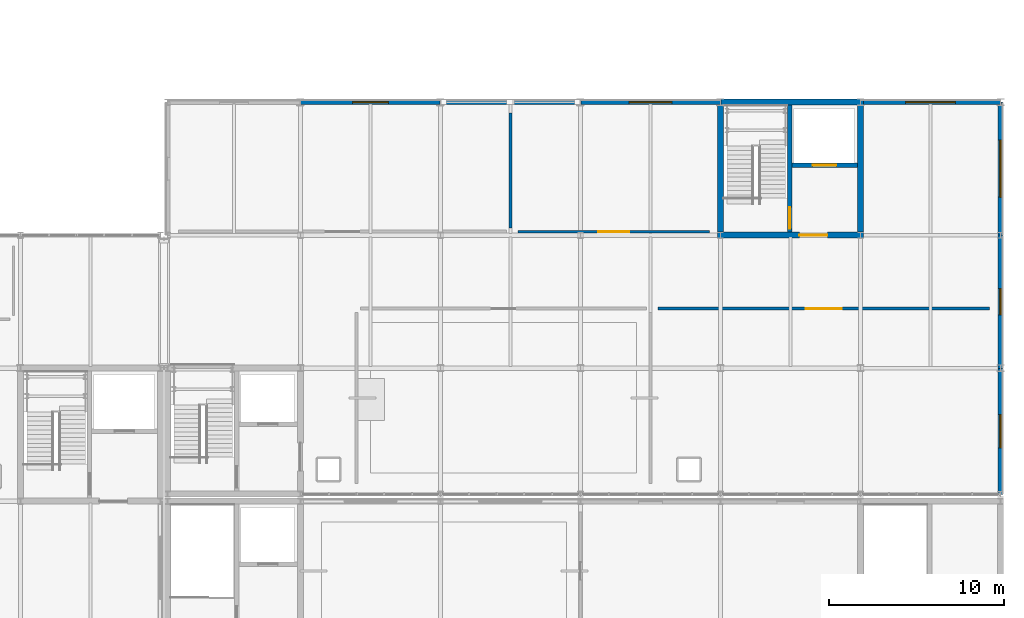
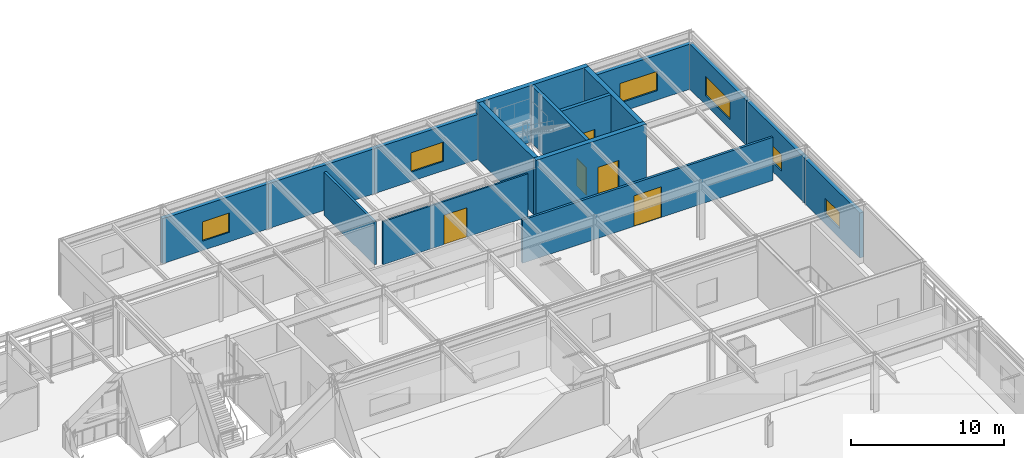
# One storey, part 89 of 104: 16 walls, 6 windows, 5 doors, 11 openings.
"""IFC4 building model written with IfcOpenShell, lengths in metres."""

from ifc_helpers import new_model, si_unit, direction, frame, frame_2d, origin, place, context, subcontext, project, spatial, rectangle, extrude, material, layer, layer_set, type_object, element, fill, save


model = new_model("IFC4")

# Units and contexts
model_context = context("Model", 3, precision=1e-05, world=origin(), true_north=direction((0.0, 1.0)))
body_context = subcontext(model_context, "Body", "Model", "MODEL_VIEW")
ifc_project = project(units=[si_unit("LENGTHUNIT", "METRE"), si_unit("AREAUNIT", "SQUARE_METRE"), si_unit("VOLUMEUNIT", "CUBIC_METRE"), si_unit("PLANEANGLEUNIT", "RADIAN"), si_unit("MASSUNIT", "GRAM", prefix="KILO")], contexts=[model_context])

# Site, building, storey
site_placement = place(None, origin())
site = spatial("IfcSite", under=ifc_project, at=site_placement, CompositionType="ELEMENT")
building_placement = place(site_placement, origin())
building = spatial("IfcBuilding", under=site, at=building_placement, Name="Zulena Civic Courthouse", CompositionType="ELEMENT")
storey_placement = place(building_placement, frame((0.0, 0.0, 15.60009765625)))
storey = spatial("IfcBuildingStorey", under=building, at=storey_placement, Name="L03", CompositionType="ELEMENT", Elevation=15.60009765625)

# Wall, opening, door
ifc_material_1 = material(Name="Concrete C40/50", Category="concrete")
ifc_layer_1 = layer(ifc_material_1, 0.25)
ifc_layer_set_1 = layer_set([ifc_layer_1], Name="Concrete C40/50")
wall_type_1 = type_object("IfcWallType", Name="CoreShearWall_RC250", PredefinedType="SHEAR", material=ifc_layer_set_1)
wall_1_placement = place(storey_placement, frame((159.949951171875, 45.77490234375, 0.0), z_axis=(0.0, 0.0, 1.0), x_axis=(0.0, 1.0, 0.0)))
wall_1 = element("IfcWall", 1, at=wall_1_placement, inside=storey, type_object=wall_type_1, Name="cwall:K3B:L03:DIV", PredefinedType="SHEAR", context=body_context, shape_type="SweptSolid", body=[
    extrude(rectangle(XDim=7.25, YDim=0.25, at=frame_2d((3.625, 0.0))), origin(), (0.0, 0.0, 1.0), 4.544921875),
])
opening_1_placement = place(wall_1_placement, frame((0.179931640625, 0.0, 0.0)))
opening_1 = element("IfcOpeningElement", 2, at=opening_1_placement, cuts=wall_1, Name="Opening ID06", PredefinedType="OPENING", context=body_context, shape_type="SweptSolid", body=[
    extrude(rectangle(XDim=1.25, YDim=2.199951171875, at=frame_2d((0.625, 1.10009765625))), frame((0.0, 0.135009765625, 0.0), z_axis=(0.0, -1.0, 0.0), x_axis=(1.0, 0.0, 0.0)), (0.0, 0.0, 1.0), 0.27001953125),
])
ifc_material_2 = material(Name="Fire-rated galvanised steel ASTM A653 Grade 50", Category="steel")
door_type_1 = type_object("IfcDoorType", Name="IntDoor_Stair_1250x2200", OperationType="NOTDEFINED", PredefinedType="DOOR", material=ifc_material_2)
door_1_placement = place(opening_1_placement, origin())
door_1 = element("IfcDoor", 3, at=door_1_placement, inside=storey, type_object=door_type_1, Name="door:stair:K3B:L03", OperationType="SINGLE_SWING_RIGHT", OverallHeight=2.199951171875, OverallWidth=1.25, PredefinedType="DOOR", context=body_context, shape_type="SweptSolid", body=[
    extrude(rectangle(XDim=1.25, YDim=2.199951171875, at=frame_2d((0.625, 1.10009765625))), frame((0.0, 0.02490234375, 0.0), z_axis=(0.0, -1.0, 0.0), x_axis=(1.0, 0.0, 0.0)), (0.0, 0.0, 1.0), 0.050048828125),
])
fill(opening_1, door_1)

wall_2_placement = place(storey_placement, frame((160.074951171875, 49.60009765625, 0.0), z_axis=(0.0, 0.0, 1.0), x_axis=(1.0, 0.0, 0.0)))
wall_2 = element("IfcWall", 4, at=wall_2_placement, inside=storey, type_object=wall_type_1, Name="cwall:K3B:L03:SHF", PredefinedType="SHEAR", context=body_context, shape_type="SweptSolid", body=[
    extrude(rectangle(XDim=3.75, YDim=0.25, at=frame_2d((1.875, 0.0))), origin(), (0.0, 0.0, 1.0), 4.544921875),
])
opening_2_placement = place(wall_2_placement, frame((1.195068359375, 0.0, 0.0)))
opening_2 = element("IfcOpeningElement", 5, at=opening_2_placement, cuts=wall_2, Name="Opening LD04", PredefinedType="OPENING", context=body_context, shape_type="SweptSolid", body=[
    extrude(rectangle(XDim=1.35009765625, YDim=2.199951171875, at=frame_2d((0.675048828125, 1.10009765625))), frame((0.0, 0.135009765625, 0.0), z_axis=(0.0, -1.0, 0.0), x_axis=(1.0, 0.0, 0.0)), (0.0, 0.0, 1.0), 0.27001953125),
])
door_type_2 = type_object("IfcDoorType", Name="LiftLandingDoor_Goods_1350x2300", OperationType="DOUBLE_DOOR_SLIDING", PredefinedType="DOOR", material=ifc_material_2)
door_2_placement = place(opening_2_placement, origin())
door_2 = element("IfcDoor", 6, at=door_2_placement, inside=storey, type_object=door_type_2, Name="door:ld:GL-01:L03", OperationType="DOUBLE_DOOR_SLIDING", OverallHeight=2.199951171875, OverallWidth=1.35009765625, PredefinedType="DOOR", context=body_context, shape_type="SweptSolid", body=[
    extrude(rectangle(XDim=1.35009765625, YDim=2.199951171875, at=frame_2d((0.675048828125, 1.10009765625))), frame((0.0, 0.02490234375, 0.0), z_axis=(0.0, -1.0, 0.0), x_axis=(1.0, 0.0, 0.0)), (0.0, 0.0, 1.0), 0.050048828125),
])
fill(opening_2, door_2)

ifc_layer_2 = layer(ifc_material_1, 0.35009765625)
ifc_layer_set_2 = layer_set([ifc_layer_2], Name="Concrete C40/50")
wall_type_2 = type_object("IfcWallType", Name="CoreShearWall_RC350", PredefinedType="SHEAR", material=ifc_layer_set_2)
wall_3_placement = place(storey_placement, frame((155.824951171875, 45.60009765625, 0.0), z_axis=(0.0, 0.0, 1.0), x_axis=(1.0, 0.0, 0.0)))
wall_3 = element("IfcWall", 7, at=wall_3_placement, inside=storey, type_object=wall_type_2, Name="cwall:K3B:L03:S", PredefinedType="SHEAR", context=body_context, shape_type="SweptSolid", body=[
    extrude(rectangle(XDim=8.35009765625, YDim=0.35009765625, at=frame_2d((4.175048828125, 0.0))), origin(), (0.0, 0.0, 1.0), 4.544921875),
])
opening_3_placement = place(wall_3_placement, frame((4.68505859375, 0.0, 0.0)))
opening_3 = element("IfcOpeningElement", 8, at=opening_3_placement, cuts=wall_3, Name="Opening ID04", PredefinedType="OPENING", context=body_context, shape_type="SweptSolid", body=[
    extrude(rectangle(XDim=1.60009765625, YDim=2.35009765625, at=frame_2d((0.800048828125, 1.175048828125))), frame((0.0, 0.18505859375, 0.0), z_axis=(0.0, -1.0, 0.0), x_axis=(1.0, 0.0, 0.0)), (0.0, 0.0, 1.0), 0.3701171875),
])
ifc_material_3 = material(Name="Solid-core acoustic hardwood timber", Category="wood")
door_type_3 = type_object("IfcDoorType", Name="IntDoor_CourtPublic_1600x2350", OperationType="DOUBLE_DOOR_SINGLE_SWING", PredefinedType="DOOR", material=ifc_material_3)
door_3_placement = place(opening_3_placement, origin())
door_3 = element("IfcDoor", 9, at=door_3_placement, inside=storey, type_object=door_type_3, Name="door:corelob:K3B:L03", OperationType="DOUBLE_DOOR_SINGLE_SWING", OverallHeight=2.35009765625, OverallWidth=1.60009765625, PredefinedType="DOOR", context=body_context, shape_type="SweptSolid", body=[
    extrude(rectangle(XDim=1.60009765625, YDim=2.35009765625, at=frame_2d((0.800048828125, 1.175048828125))), frame((0.0, 0.02490234375, 0.0), z_axis=(0.0, -1.0, 0.0), x_axis=(1.0, 0.0, 0.0)), (0.0, 0.0, 1.0), 0.050048828125),
])
fill(opening_3, door_3)

# Walls
wall_4_placement = place(storey_placement, frame((155.824951171875, 53.199951171875, 0.0), z_axis=(0.0, 0.0, 1.0), x_axis=(1.0, 0.0, 0.0)))
element("IfcWall", 10, at=wall_4_placement, inside=storey, type_object=wall_type_2, Name="cwall:K3B:L03:N", PredefinedType="SHEAR", context=body_context, shape_type="SweptSolid", body=[
    extrude(rectangle(XDim=8.35009765625, YDim=0.35009765625, at=frame_2d((4.175048828125, 0.0))), origin(), (0.0, 0.0, 1.0), 4.544921875),
])
for number, where, z_axis, x_axis, name in (
    (11, (156.0, 45.77490234375, 0.0), (0.0, 0.0, 1.0), (0.0, 1.0, 0.0), "cwall:K3B:L03:W"),
    (12, (164.0, 45.77490234375, 0.0), (0.0, 0.0, 1.0), (0.0, 1.0, 0.0), "cwall:K3B:L03:E"),
):
    element("IfcWall", number, at=place(storey_placement, frame(where, z_axis=z_axis, x_axis=x_axis)), inside=storey, type_object=wall_type_2, Name=name, PredefinedType="SHEAR", context=body_context, shape_type="SweptSolid", body=[
        extrude(rectangle(XDim=7.25, YDim=0.35009765625, at=frame_2d((3.625, 0.0))), origin(), (0.0, 0.0, 1.0), 4.544921875),
    ])

# Wall, opening, window
ifc_material_4 = material(Name="Travertine-cream architectural precast concrete C40/50", Category="masonry")
ifc_layer_3 = layer(ifc_material_4, 0.280029296875)
ifc_layer_set_3 = layer_set([ifc_layer_3], Name="Travertine-cream architectural precast concrete C40/50")
wall_type_3 = type_object("IfcWallType", Name="ExtWall_TravPrecast_280", PredefinedType="STANDARD", material=ifc_layer_set_3)
wall_5_placement = place(storey_placement, frame((131.97998046875, 53.199951171875, 0.0), z_axis=(0.0, 0.0, 1.0), x_axis=(1.0, 0.0, 0.0)))
wall_5 = element("IfcWall", 13, at=wall_5_placement, inside=storey, type_object=wall_type_3, Name="ewall:V3:L03:1:1", PredefinedType="STANDARD", context=body_context, shape_type="SweptSolid", body=[
    extrude(rectangle(XDim=8.0400390625, YDim=0.280029296875, at=frame_2d((4.02001953125, 0.0))), origin(), (0.0, 0.0, 1.0), 3.60498046875),
])
opening_4_placement = place(wall_5_placement, frame((2.9951171875, 0.0, 0.75)))
opening_4 = element("IfcOpeningElement", 14, at=opening_4_placement, cuts=wall_5, Name="Opening WN26", PredefinedType="OPENING", context=body_context, shape_type="SweptSolid", body=[
    extrude(rectangle(XDim=2.050048828125, YDim=1.550048828125, at=frame_2d((1.02490234375, 0.77490234375))), frame((0.0, 0.14990234375, 0.0), z_axis=(0.0, -1.0, 0.0), x_axis=(1.0, 0.0, 0.0)), (0.0, 0.0, 1.0), 0.300048828125),
])
ifc_material_5 = material(Name="Double-silver low-E laminated solar-control glass", Category="glass")
window_type_1 = type_object("IfcWindowType", Name="Win_2050x1550", PartitioningType="DOUBLE_PANEL_VERTICAL", PredefinedType="WINDOW", material=ifc_material_5)
window_1_placement = place(opening_4_placement, origin())
window_1 = element("IfcWindow", 15, at=window_1_placement, inside=storey, type_object=window_type_1, Name="win:V3:L03:1:1", OverallHeight=1.550048828125, OverallWidth=2.050048828125, PartitioningType="SINGLE_PANEL", PredefinedType="WINDOW", context=body_context, shape_type="SweptSolid", body=[
    extrude(rectangle(XDim=2.050048828125, YDim=1.550048828125, at=frame_2d((1.02490234375, 0.77490234375))), frame((0.0, 0.030029296875, 0.0), z_axis=(0.0, -1.0, 0.0), x_axis=(1.0, 0.0, 0.0)), (0.0, 0.0, 1.0), 0.06005859375),
])
fill(opening_4, window_1)

# Wall
wall_6_placement = place(storey_placement, frame((139.97998046875, 53.199951171875, 0.0), z_axis=(0.0, 0.0, 1.0), x_axis=(1.0, 0.0, 0.0)))
element("IfcWall", 16, at=wall_6_placement, inside=storey, type_object=wall_type_3, Name="ewall:V3:L03:1:2", PredefinedType="STANDARD", context=body_context, shape_type="SweptSolid", body=[
    extrude(rectangle(XDim=8.0400390625, YDim=0.280029296875, at=frame_2d((4.02001953125, 0.0))), origin(), (0.0, 0.0, 1.0), 3.60498046875),
])

# Wall, opening, window
wall_7_placement = place(storey_placement, frame((147.97998046875, 53.199951171875, 0.0), z_axis=(0.0, 0.0, 1.0), x_axis=(1.0, 0.0, 0.0)))
wall_7 = element("IfcWall", 17, at=wall_7_placement, inside=storey, type_object=wall_type_3, Name="ewall:V3:L03:1:3", PredefinedType="STANDARD", context=body_context, shape_type="SweptSolid", body=[
    extrude(rectangle(XDim=8.0400390625, YDim=0.280029296875, at=frame_2d((4.02001953125, 0.0))), origin(), (0.0, 0.0, 1.0), 3.60498046875),
])
opening_5_placement = place(wall_7_placement, frame((2.794921875, 0.0, 0.75)))
opening_5 = element("IfcOpeningElement", 18, at=opening_5_placement, cuts=wall_7, Name="Opening WN27", PredefinedType="OPENING", context=body_context, shape_type="SweptSolid", body=[
    extrude(rectangle(XDim=2.449951171875, YDim=1.550048828125, at=frame_2d((1.22509765625, 0.77490234375))), frame((0.0, 0.14990234375, 0.0), z_axis=(0.0, -1.0, 0.0), x_axis=(1.0, 0.0, 0.0)), (0.0, 0.0, 1.0), 0.300048828125),
])
window_type_2 = type_object("IfcWindowType", Name="Win_2450x1550", PartitioningType="DOUBLE_PANEL_VERTICAL", PredefinedType="WINDOW", material=ifc_material_5)
window_2_placement = place(opening_5_placement, origin())
window_2 = element("IfcWindow", 19, at=window_2_placement, inside=storey, type_object=window_type_2, Name="win:V3:L03:1:3", OverallHeight=1.550048828125, OverallWidth=2.449951171875, PartitioningType="SINGLE_PANEL", PredefinedType="WINDOW", context=body_context, shape_type="SweptSolid", body=[
    extrude(rectangle(XDim=2.449951171875, YDim=1.550048828125, at=frame_2d((1.22509765625, 0.77490234375))), frame((0.0, 0.030029296875, 0.0), z_axis=(0.0, -1.0, 0.0), x_axis=(1.0, 0.0, 0.0)), (0.0, 0.0, 1.0), 0.06005859375),
])
fill(opening_5, window_2)

wall_8_placement = place(storey_placement, frame((163.97998046875, 53.199951171875, 0.0), z_axis=(0.0, 0.0, 1.0), x_axis=(1.0, 0.0, 0.0)))
wall_8 = element("IfcWall", 20, at=wall_8_placement, inside=storey, type_object=wall_type_3, Name="ewall:V3:L03:1:5", PredefinedType="STANDARD", context=body_context, shape_type="SweptSolid", body=[
    extrude(rectangle(XDim=8.0400390625, YDim=0.280029296875, at=frame_2d((4.02001953125, 0.0))), origin(), (0.0, 0.0, 1.0), 3.60498046875),
])
opening_6_placement = place(wall_8_placement, frame((2.594970703125, 0.0, 0.75)))
opening_6 = element("IfcOpeningElement", 21, at=opening_6_placement, cuts=wall_8, Name="Opening WN28", PredefinedType="OPENING", context=body_context, shape_type="SweptSolid", body=[
    extrude(rectangle(XDim=2.85009765625, YDim=1.550048828125, at=frame_2d((1.425048828125, 0.77490234375))), frame((0.0, 0.14990234375, 0.0), z_axis=(0.0, -1.0, 0.0), x_axis=(1.0, 0.0, 0.0)), (0.0, 0.0, 1.0), 0.300048828125),
])
window_type_3 = type_object("IfcWindowType", Name="Win_2850x1550", PartitioningType="DOUBLE_PANEL_VERTICAL", PredefinedType="WINDOW", material=ifc_material_5)
window_3_placement = place(opening_6_placement, origin())
window_3 = element("IfcWindow", 22, at=window_3_placement, inside=storey, type_object=window_type_3, Name="win:V3:L03:1:5", OverallHeight=1.550048828125, OverallWidth=2.85009765625, PartitioningType="SINGLE_PANEL", PredefinedType="WINDOW", context=body_context, shape_type="SweptSolid", body=[
    extrude(rectangle(XDim=2.85009765625, YDim=1.550048828125, at=frame_2d((1.425048828125, 0.77490234375))), frame((0.0, 0.030029296875, 0.0), z_axis=(0.0, -1.0, 0.0), x_axis=(1.0, 0.0, 0.0)), (0.0, 0.0, 1.0), 0.06005859375),
])
fill(opening_6, window_3)

wall_9_placement = place(storey_placement, frame((172.0, 53.219970703125, 0.0), z_axis=(0.0, 0.0, 1.0), x_axis=(0.0, -1.0, 0.0)))
wall_9 = element("IfcWall", 23, at=wall_9_placement, inside=storey, type_object=wall_type_3, Name="ewall:V3:L03:2:0", PredefinedType="STANDARD", context=body_context, shape_type="SweptSolid", body=[
    extrude(rectangle(XDim=7.639892578125, YDim=0.280029296875, at=frame_2d((3.81982421875, 0.0))), origin(), (0.0, 0.0, 1.0), 3.60498046875),
])
opening_7_placement = place(wall_9_placement, frame((2.195068359375, 0.0, 0.75)))
opening_7 = element("IfcOpeningElement", 24, at=opening_7_placement, cuts=wall_9, Name="Opening WN29", PredefinedType="OPENING", context=body_context, shape_type="SweptSolid", body=[
    extrude(rectangle(XDim=3.25, YDim=1.550048828125, at=frame_2d((1.625, 0.77490234375))), frame((0.0, 0.14990234375, 0.0), z_axis=(0.0, -1.0, 0.0), x_axis=(1.0, 0.0, 0.0)), (0.0, 0.0, 1.0), 0.300048828125),
])
window_type_4 = type_object("IfcWindowType", Name="Win_3250x1550", PartitioningType="DOUBLE_PANEL_VERTICAL", PredefinedType="WINDOW", material=ifc_material_5)
window_4_placement = place(opening_7_placement, origin())
window_4 = element("IfcWindow", 25, at=window_4_placement, inside=storey, type_object=window_type_4, Name="win:V3:L03:2:0", OverallHeight=1.550048828125, OverallWidth=3.25, PartitioningType="SINGLE_PANEL", PredefinedType="WINDOW", context=body_context, shape_type="SweptSolid", body=[
    extrude(rectangle(XDim=3.25, YDim=1.550048828125, at=frame_2d((1.625, 0.77490234375))), frame((0.0, 0.030029296875, 0.0), z_axis=(0.0, -1.0, 0.0), x_axis=(1.0, 0.0, 0.0)), (0.0, 0.0, 1.0), 0.06005859375),
])
fill(opening_7, window_4)

wall_10_placement = place(storey_placement, frame((172.0, 45.6201171875, 0.0), z_axis=(0.0, 0.0, 1.0), x_axis=(0.0, -1.0, 0.0)))
wall_10 = element("IfcWall", 26, at=wall_10_placement, inside=storey, type_object=wall_type_3, Name="ewall:V3:L03:2:1", PredefinedType="STANDARD", context=body_context, shape_type="SweptSolid", body=[
    extrude(rectangle(XDim=7.64013671875, YDim=0.280029296875, at=frame_2d((3.820068359375, 0.0))), origin(), (0.0, 0.0, 1.0), 3.60498046875),
])
opening_8_placement = place(wall_10_placement, frame((3.070068359375, 0.0, 0.75)))
opening_8 = element("IfcOpeningElement", 27, at=opening_8_placement, cuts=wall_10, Name="Opening WN30", PredefinedType="OPENING", context=body_context, shape_type="SweptSolid", body=[
    extrude(rectangle(XDim=1.5, YDim=1.300048828125, at=frame_2d((0.75, 0.64990234375))), frame((0.0, 0.14990234375, 0.0), z_axis=(0.0, -1.0, 0.0), x_axis=(1.0, 0.0, 0.0)), (0.0, 0.0, 1.0), 0.300048828125),
])
window_type_5 = type_object("IfcWindowType", Name="Win_1500x1300", PartitioningType="SINGLE_PANEL", PredefinedType="WINDOW", material=ifc_material_5)
window_5_placement = place(opening_8_placement, origin())
window_5 = element("IfcWindow", 28, at=window_5_placement, inside=storey, type_object=window_type_5, Name="win:V3:L03:2:1", OverallHeight=1.300048828125, OverallWidth=1.5, PartitioningType="SINGLE_PANEL", PredefinedType="WINDOW", context=body_context, shape_type="SweptSolid", body=[
    extrude(rectangle(XDim=1.5, YDim=1.300048828125, at=frame_2d((0.75, 0.64990234375))), frame((0.0, 0.030029296875, 0.0), z_axis=(0.0, -1.0, 0.0), x_axis=(1.0, 0.0, 0.0)), (0.0, 0.0, 1.0), 0.06005859375),
])
fill(opening_8, window_5)

wall_11_placement = place(storey_placement, frame((172.0, 38.02001953125, 0.0), z_axis=(0.0, 0.0, 1.0), x_axis=(0.0, -1.0, 0.0)))
wall_11 = element("IfcWall", 29, at=wall_11_placement, inside=storey, type_object=wall_type_3, Name="ewall:V3:L03:2:2", PredefinedType="STANDARD", context=body_context, shape_type="SweptSolid", body=[
    extrude(rectangle(XDim=7.239990234375, YDim=0.280029296875, at=frame_2d((3.6201171875, 0.0))), origin(), (0.0, 0.0, 1.0), 3.60498046875),
])
opening_9_placement = place(wall_11_placement, frame((2.669921875, 0.0, 0.75)))
opening_9 = element("IfcOpeningElement", 30, at=opening_9_placement, cuts=wall_11, Name="Opening WN31", PredefinedType="OPENING", context=body_context, shape_type="SweptSolid", body=[
    extrude(rectangle(XDim=1.89990234375, YDim=1.300048828125, at=frame_2d((0.949951171875, 0.64990234375))), frame((0.0, 0.14990234375, 0.0), z_axis=(0.0, -1.0, 0.0), x_axis=(1.0, 0.0, 0.0)), (0.0, 0.0, 1.0), 0.300048828125),
])
window_type_6 = type_object("IfcWindowType", Name="Win_1900x1300", PartitioningType="DOUBLE_PANEL_VERTICAL", PredefinedType="WINDOW", material=ifc_material_5)
window_6_placement = place(opening_9_placement, origin())
window_6 = element("IfcWindow", 31, at=window_6_placement, inside=storey, type_object=window_type_6, Name="win:V3:L03:2:2", OverallHeight=1.300048828125, OverallWidth=1.89990234375, PartitioningType="SINGLE_PANEL", PredefinedType="WINDOW", context=body_context, shape_type="SweptSolid", body=[
    extrude(rectangle(XDim=1.89990234375, YDim=1.300048828125, at=frame_2d((0.949951171875, 0.64990234375))), frame((0.0, 0.030029296875, 0.0), z_axis=(0.0, -1.0, 0.0), x_axis=(1.0, 0.0, 0.0)), (0.0, 0.0, 1.0), 0.06005859375),
])
fill(opening_9, window_6)

# Wall, opening, door
ifc_material_6 = material(Name="Acoustic fire-rated gypsum board assembly", Category="masonry")
ifc_layer_4 = layer(ifc_material_6, 0.177978515625)
ifc_layer_set_4 = layer_set([ifc_layer_4], Name="Acoustic fire-rated gypsum board assembly")
wall_type_4 = type_object("IfcWallType", Name="PartWall_Corridor_178", PredefinedType="PARTITIONING", material=ifc_layer_set_4)
wall_12_placement = place(storey_placement, frame((152.419921875, 41.39990234375, 0.0), z_axis=(0.0, 0.0, 1.0), x_axis=(1.0, 0.0, 0.0)))
wall_12 = element("IfcWall", 32, at=wall_12_placement, inside=storey, type_object=wall_type_4, Name="pwall:L03:275:0", PredefinedType="PARTITIONING", context=body_context, shape_type="SweptSolid", body=[
    extrude(rectangle(XDim=18.9599609375, YDim=0.177978515625, at=frame_2d((9.47998046875, 0.0))), origin(), (0.0, 0.0, 1.0), 3.449951171875),
])
opening_10_placement = place(wall_12_placement, frame((8.455078125, 0.0, 0.0)))
opening_10 = element("IfcOpeningElement", 33, at=opening_10_placement, cuts=wall_12, Name="Opening ID01", PredefinedType="OPENING", context=body_context, shape_type="SweptSolid", body=[
    extrude(rectangle(XDim=2.050048828125, YDim=2.449951171875, at=frame_2d((1.02490234375, 1.22509765625))), frame((0.0, 0.098876953125, 0.0), z_axis=(0.0, -1.0, 0.0), x_axis=(1.0, 0.0, 0.0)), (0.0, 0.0, 1.0), 0.197998046875),
])
door_type_4 = type_object("IfcDoorType", Name="IntDoor_Ceremonial_2050x2450", OperationType="DOUBLE_DOOR_SINGLE_SWING", PredefinedType="DOOR", material=ifc_material_3)
door_4_placement = place(opening_10_placement, origin())
door_4 = element("IfcDoor", 34, at=door_4_placement, inside=storey, type_object=door_type_4, Name="door:rm:L03:275", OperationType="DOUBLE_DOOR_SINGLE_SWING", OverallHeight=2.449951171875, OverallWidth=2.050048828125, PredefinedType="DOOR", context=body_context, shape_type="SweptSolid", body=[
    extrude(rectangle(XDim=2.050048828125, YDim=2.449951171875, at=frame_2d((1.02490234375, 1.22509765625))), frame((0.0, 0.02490234375, 0.0), z_axis=(0.0, -1.0, 0.0), x_axis=(1.0, 0.0, 0.0)), (0.0, 0.0, 1.0), 0.050048828125),
])
fill(opening_10, door_4)

# Wall
wall_13_placement = place(storey_placement, frame((144.0, 46.02001953125, 0.0), z_axis=(0.0, 0.0, 1.0), x_axis=(0.0, 1.0, 0.0)))
element("IfcWall", 35, at=wall_13_placement, inside=storey, type_object=wall_type_4, Name="pwall:L03:276:1", PredefinedType="PARTITIONING", context=body_context, shape_type="SweptSolid", body=[
    extrude(rectangle(XDim=6.56005859375, YDim=0.177978515625, at=frame_2d((3.280029296875, 0.0))), origin(), (0.0, 0.0, 1.0), 3.449951171875),
])

# Wall, opening, door
ifc_material_7 = material(Name="Insulated blockwork masonry ASTM C90", Category="masonry")
ifc_layer_5 = layer(ifc_material_7, 0.1279296875)
ifc_layer_set_5 = layer_set([ifc_layer_5], Name="Insulated blockwork masonry ASTM C90")
wall_type_5 = type_object("IfcWallType", Name="PartWall_WetRoom_128", PredefinedType="PARTITIONING", material=ifc_layer_set_5)
wall_14_placement = place(storey_placement, frame((144.419921875, 45.800048828125, 0.0), z_axis=(0.0, 0.0, 1.0), x_axis=(1.0, 0.0, 0.0)))
wall_14 = element("IfcWall", 36, at=wall_14_placement, inside=storey, type_object=wall_type_5, Name="pwall:L03:277:0", PredefinedType="PARTITIONING", context=body_context, shape_type="SweptSolid", body=[
    extrude(rectangle(XDim=10.9599609375, YDim=0.1279296875, at=frame_2d((5.47998046875, 0.0))), origin(), (0.0, 0.0, 1.0), 3.449951171875),
])
opening_11_placement = place(wall_14_placement, frame((4.60498046875, 0.0, 0.0)))
opening_11 = element("IfcOpeningElement", 37, at=opening_11_placement, cuts=wall_14, Name="Opening ID03", PredefinedType="OPENING", context=body_context, shape_type="SweptSolid", body=[
    extrude(rectangle(XDim=1.75, YDim=2.35009765625, at=frame_2d((0.875, 1.175048828125))), frame((0.0, 0.073974609375, 0.0), z_axis=(0.0, -1.0, 0.0), x_axis=(1.0, 0.0, 0.0)), (0.0, 0.0, 1.0), 0.14794921875),
])
door_type_5 = type_object("IfcDoorType", Name="IntDoor_CourtPublic_1750x2350", OperationType="DOUBLE_DOOR_SINGLE_SWING", PredefinedType="DOOR", material=ifc_material_3)
door_5_placement = place(opening_11_placement, origin())
door_5 = element("IfcDoor", 38, at=door_5_placement, inside=storey, type_object=door_type_5, Name="door:rm:L03:277", OperationType="DOUBLE_DOOR_SINGLE_SWING", OverallHeight=2.35009765625, OverallWidth=1.75, PredefinedType="DOOR", context=body_context, shape_type="SweptSolid", body=[
    extrude(rectangle(XDim=1.75, YDim=2.35009765625, at=frame_2d((0.875, 1.175048828125))), frame((0.0, 0.02490234375, 0.0), z_axis=(0.0, -1.0, 0.0), x_axis=(1.0, 0.0, 0.0)), (0.0, 0.0, 1.0), 0.050048828125),
])
fill(opening_11, door_5)

save(model, "model.ifc")
